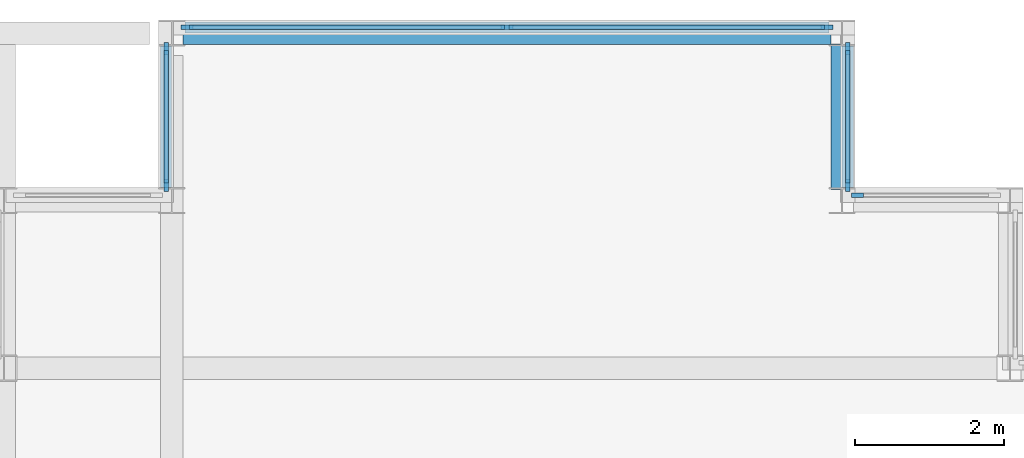
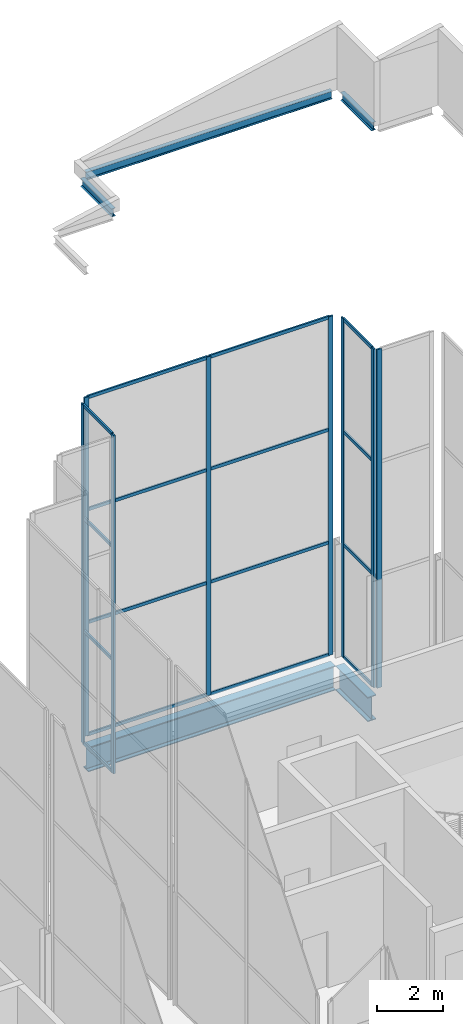
# One storey, part 8 of 23: 24 members, 5 beams, 4 elements without a shape of their own.
"""IFC4 building model written with IfcOpenShell, lengths in metres."""

from ifc_helpers import new_model, si_unit, direction, frame, origin, origin_2d, place, context, subcontext, project, spatial, rectangle, i_section, extrude, material, layer, layer_set, material_profile, profile_set, type_object, element, aggregate, save


model = new_model("IFC4")

# Units and contexts
model_context = context("Model", 3, precision=1e-05, world=origin(), true_north=direction((0.0, 1.0)))
body_context = subcontext(model_context, "Body", "Model", "MODEL_VIEW")
ifc_project = project(units=[si_unit("LENGTHUNIT", "METRE"), si_unit("AREAUNIT", "SQUARE_METRE"), si_unit("VOLUMEUNIT", "CUBIC_METRE"), si_unit("PLANEANGLEUNIT", "RADIAN"), si_unit("MASSUNIT", "GRAM", prefix="KILO")], contexts=[model_context])

# Site, building, storey
site_placement = place(None, origin())
site = spatial("IfcSite", under=ifc_project, at=site_placement, CompositionType="ELEMENT")
building_placement = place(site_placement, origin())
building = spatial("IfcBuilding", under=site, at=building_placement, Name="Caravel Reach Hotel and Residences", CompositionType="ELEMENT")
storey_placement = place(building_placement, frame((0.0, 0.0, 312.800048828125)))
storey = spatial("IfcBuildingStorey", under=building, at=storey_placement, Name="L79", CompositionType="ELEMENT", Elevation=312.800048828125)

# Beams
ifc_material_1 = material(Name="Structural steel Q355B", Category="steel")
ifc_material_profile_1 = material_profile(ifc_material_1, i_section(OverallWidth=0.14990234375, OverallDepth=0.300048828125, WebThickness=0.006591796875, FlangeThickness=0.009033203125, FilletRadius=0.012939453125, at=origin_2d()), Name="HN 300x150x6.5x9")
ifc_profile_set_1 = profile_set([ifc_material_profile_1], Name="Structural steel Q355B")
beam_type_1 = type_object("IfcBeamType", Name="Beam HN 300x150x6.5x9", PredefinedType="BEAM", material=ifc_profile_set_1)
beam_1_placement = place(storey_placement, frame((45.074951171875, 38.425048828125, 20.849853515625), z_axis=(0.0, 1.0, 0.0), x_axis=(-1.0, 0.0, 0.0)))
element("IfcBeam", 1, at=beam_1_placement, inside=storey, type_object=beam_type_1, Name="Eave tie beam east 9.1", PredefinedType="BEAM", context=body_context, shape_type="SweptSolid", body=[
    extrude(i_section(OverallWidth=0.14990234375, OverallDepth=0.300048828125, WebThickness=0.006591796875, FlangeThickness=0.009033203125, FilletRadius=0.012939453125, at=origin_2d()), origin(), (0.0, 0.0, 1.0), 1.89990234375),
])
beam_2_placement = place(storey_placement, frame((44.824951171875, 40.574951171875, 20.849853515625), z_axis=(-1.0, 0.0, 0.0), x_axis=(0.0, -1.0, 0.0)))
element("IfcBeam", 2, at=beam_2_placement, inside=storey, type_object=beam_type_1, Name="Eave tie beam east 10.1", PredefinedType="BEAM", context=body_context, shape_type="SweptSolid", body=[
    extrude(i_section(OverallWidth=0.14990234375, OverallDepth=0.300048828125, WebThickness=0.006591796875, FlangeThickness=0.009033203125, FilletRadius=0.012939453125, at=origin_2d()), origin(), (0.0, 0.0, 1.0), 8.64990234375),
])
beam_3_placement = place(storey_placement, frame((35.925048828125, 40.324951171875, 20.849853515625), z_axis=(0.0, -1.0, 0.0), x_axis=(1.0, 0.0, 0.0)))
element("IfcBeam", 3, at=beam_3_placement, inside=storey, type_object=beam_type_1, Name="Eave tie beam east 11.1", PredefinedType="BEAM", context=body_context, shape_type="SweptSolid", body=[
    extrude(i_section(OverallWidth=0.14990234375, OverallDepth=0.300048828125, WebThickness=0.006591796875, FlangeThickness=0.009033203125, FilletRadius=0.012939453125, at=origin_2d()), origin(), (0.0, 0.0, 1.0), 1.89990234375),
])
ifc_material_2 = material(Name="Structural steel Q355B", Category="steel")
ifc_material_profile_2 = material_profile(ifc_material_2, i_section(OverallWidth=0.302001953125, OverallDepth=0.912109375, WebThickness=0.01806640625, FlangeThickness=0.033935546875, FilletRadius=0.01806640625, at=origin_2d()), Name="HN 900x300x18x34")
ifc_profile_set_2 = profile_set([ifc_material_profile_2], Name="Structural steel Q355B")
beam_type_2 = type_object("IfcBeamType", Name="Beam HN 900x300x18x34", PredefinedType="BEAM", material=ifc_profile_set_2)
beam_4_placement = place(storey_placement, frame((45.0, 38.39990234375, -0.756103515625), z_axis=(0.0, 1.0, 0.0), x_axis=(-1.0, 0.0, 0.0)))
element("IfcBeam", 4, at=beam_4_placement, inside=storey, type_object=beam_type_2, Name="B10 HN 900x300x18x34", PredefinedType="BEAM", context=body_context, shape_type="SweptSolid", body=[
    extrude(i_section(OverallWidth=0.302001953125, OverallDepth=0.912109375, WebThickness=0.01806640625, FlangeThickness=0.033935546875, FilletRadius=0.01806640625, at=origin_2d()), origin(), (0.0, 0.0, 1.0), 1.9501953125),
])
beam_5_placement = place(storey_placement, frame((44.85009765625, 40.5, -0.756103515625), z_axis=(-1.0, 0.0, 0.0), x_axis=(0.0, -1.0, 0.0)))
element("IfcBeam", 5, at=beam_5_placement, inside=storey, type_object=beam_type_2, Name="B10 HN 900x300x18x34", PredefinedType="BEAM", context=body_context, shape_type="SweptSolid", body=[
    extrude(i_section(OverallWidth=0.302001953125, OverallDepth=0.912109375, WebThickness=0.01806640625, FlangeThickness=0.033935546875, FilletRadius=0.01806640625, at=origin_2d()), origin(), (0.0, 0.0, 1.0), 8.7001953125),
])

# Curtain wall, member
ifc_material_3 = material(Name="Dark low-e glazing in black aluminium frame", Category="aluminium")
ifc_layer = layer(ifc_material_3, 0.199951171875)
ifc_layer_set = layer_set([ifc_layer], Name="CW4 Crown glazing")
curtain_wall_type = type_object("IfcCurtainWallType", Name="CW4 Crown glazing", PredefinedType="NOTDEFINED", material=ifc_layer_set)
curtain_wall_1_placement = place(storey_placement, origin())
curtain_wall_1 = element("IfcCurtainWall", 6, at=curtain_wall_1_placement, inside=storey, type_object=curtain_wall_type, Name="Crown glazing b0", PredefinedType="NOTDEFINED")
ifc_material_4 = material(Name="Anodised aluminium alloy 6063-T5, black", Category="aluminium")
ifc_material_profile_3 = material_profile(ifc_material_4, rectangle(XDim=0.06005859375, YDim=0.159912109375, at=origin_2d()), Name="CW mullion 60 x 160")
ifc_profile_set_3 = profile_set([ifc_material_profile_3], Name="Anodised aluminium alloy 6063-T5, black")
member_type_1 = type_object("IfcMemberType", Name="CW mullion 60 x 160", PredefinedType="MULLION", material=ifc_profile_set_3)
member_1_placement = place(storey_placement, frame((45.205078125, 38.324951171875, 0.0), z_axis=(0.0, 0.0, 1.0), x_axis=(0.0, -1.0, 0.0)))
member_1 = element("IfcMember", 7, at=member_1_placement, type_object=member_type_1, Name="CW4 mullion 2", PredefinedType="MULLION", context=body_context, shape_type="SweptSolid", body=[
    extrude(rectangle(XDim=0.06005859375, YDim=0.159912109375, at=origin_2d()), origin(), (0.0, 0.0, 1.0), 12.599853515625),
])
aggregate(curtain_wall_1, [member_1])

# Curtain wall, members
curtain_wall_2_placement = place(storey_placement, origin())
curtain_wall_2 = element("IfcCurtainWall", 8, at=curtain_wall_2_placement, inside=storey, type_object=curtain_wall_type, Name="Crown glazing b0", PredefinedType="NOTDEFINED")
member_2_placement = place(storey_placement, frame((45.074951171875, 38.455078125, 0.0), z_axis=(0.0, 0.0, 1.0), x_axis=(-1.0, 0.0, 0.0)))
member_2 = element("IfcMember", 9, at=member_2_placement, type_object=member_type_1, Name="CW4 mullion 1", PredefinedType="MULLION", context=body_context, shape_type="SweptSolid", body=[
    extrude(rectangle(XDim=0.06005859375, YDim=0.159912109375, at=origin_2d()), origin(), (0.0, 0.0, 1.0), 12.599853515625),
])
member_3_placement = place(storey_placement, frame((45.074951171875, 40.294921875, 0.0), z_axis=(0.0, 0.0, 1.0), x_axis=(-1.0, 0.0, 0.0)))
member_3 = element("IfcMember", 10, at=member_3_placement, type_object=member_type_1, Name="CW4 mullion 2", PredefinedType="MULLION", context=body_context, shape_type="SweptSolid", body=[
    extrude(rectangle(XDim=0.06005859375, YDim=0.159912109375, at=origin_2d()), origin(), (0.0, 0.0, 1.0), 12.599853515625),
])

curtain_wall_3_placement = place(storey_placement, origin())
curtain_wall_3 = element("IfcCurtainWall", 11, at=curtain_wall_3_placement, inside=storey, type_object=curtain_wall_type, Name="Crown glazing b0", PredefinedType="NOTDEFINED")
member_4_placement = place(storey_placement, frame((44.794921875, 40.574951171875, 0.0), z_axis=(0.0, 0.0, 1.0), x_axis=(0.0, -1.0, 0.0)))
member_4 = element("IfcMember", 12, at=member_4_placement, type_object=member_type_1, Name="CW4 mullion 1", PredefinedType="MULLION", context=body_context, shape_type="SweptSolid", body=[
    extrude(rectangle(XDim=0.06005859375, YDim=0.159912109375, at=origin_2d()), origin(), (0.0, 0.0, 1.0), 12.599853515625),
])
member_5_placement = place(storey_placement, frame((40.5, 40.574951171875, 0.0), z_axis=(0.0, 0.0, 1.0), x_axis=(0.0, -1.0, 0.0)))
member_5 = element("IfcMember", 13, at=member_5_placement, type_object=member_type_1, Name="CW4 mullion 2", PredefinedType="MULLION", context=body_context, shape_type="SweptSolid", body=[
    extrude(rectangle(XDim=0.06005859375, YDim=0.159912109375, at=origin_2d()), origin(), (0.0, 0.0, 1.0), 12.599853515625),
])
member_6_placement = place(storey_placement, frame((36.205078125, 40.574951171875, 0.0), z_axis=(0.0, 0.0, 1.0), x_axis=(0.0, -1.0, 0.0)))
member_6 = element("IfcMember", 14, at=member_6_placement, type_object=member_type_1, Name="CW4 mullion 3", PredefinedType="MULLION", context=body_context, shape_type="SweptSolid", body=[
    extrude(rectangle(XDim=0.06005859375, YDim=0.159912109375, at=origin_2d()), origin(), (0.0, 0.0, 1.0), 12.599853515625),
])

curtain_wall_4_placement = place(storey_placement, origin())
curtain_wall_4 = element("IfcCurtainWall", 15, at=curtain_wall_4_placement, inside=storey, type_object=curtain_wall_type, Name="Crown glazing b0", PredefinedType="NOTDEFINED")
member_7_placement = place(storey_placement, frame((35.925048828125, 40.294921875, 0.0), z_axis=(0.0, 0.0, 1.0), x_axis=(1.0, 0.0, 0.0)))
member_7 = element("IfcMember", 16, at=member_7_placement, type_object=member_type_1, Name="CW4 mullion 1", PredefinedType="MULLION", context=body_context, shape_type="SweptSolid", body=[
    extrude(rectangle(XDim=0.06005859375, YDim=0.159912109375, at=origin_2d()), origin(), (0.0, 0.0, 1.0), 12.599853515625),
])
member_8_placement = place(storey_placement, frame((35.925048828125, 38.455078125, 0.0), z_axis=(0.0, 0.0, 1.0), x_axis=(1.0, 0.0, 0.0)))
member_8 = element("IfcMember", 17, at=member_8_placement, type_object=member_type_1, Name="CW4 mullion 2", PredefinedType="MULLION", context=body_context, shape_type="SweptSolid", body=[
    extrude(rectangle(XDim=0.06005859375, YDim=0.159912109375, at=origin_2d()), origin(), (0.0, 0.0, 1.0), 12.599853515625),
])

# Member
ifc_material_5 = material(Name="Anodised aluminium alloy 6063-T5, black", Category="aluminium")
ifc_material_profile_4 = material_profile(ifc_material_5, rectangle(XDim=0.06005859375, YDim=0.1201171875, at=origin_2d()), Name="CW transom 60 x 120")
ifc_profile_set_4 = profile_set([ifc_material_profile_4], Name="Anodised aluminium alloy 6063-T5, black")
member_type_2 = type_object("IfcMemberType", Name="CW transom 60 x 120", PredefinedType="USERDEFINED", material=ifc_profile_set_4)
member_9_placement = place(storey_placement, frame((45.074951171875, 38.485107421875, 0.030029296875), z_axis=(0.0, 1.0, 0.0), x_axis=(-1.0, 0.0, 0.0)))
member_9 = element("IfcMember", 18, at=member_9_placement, type_object=member_type_2, Name="CW4 transom 1.1", ObjectType="TRANSOM", PredefinedType="USERDEFINED", context=body_context, shape_type="SweptSolid", body=[
    extrude(rectangle(XDim=0.06005859375, YDim=0.1201171875, at=origin_2d()), origin(), (0.0, 0.0, 1.0), 1.77978515625),
])

member_10_placement = place(storey_placement, frame((45.074951171875, 38.485107421875, 4.199951171875), z_axis=(0.0, 1.0, 0.0), x_axis=(-1.0, 0.0, 0.0)))
member_10 = element("IfcMember", 19, at=member_10_placement, type_object=member_type_2, Name="CW4 transom 1.2", ObjectType="TRANSOM", PredefinedType="USERDEFINED", context=body_context, shape_type="SweptSolid", body=[
    extrude(rectangle(XDim=0.06005859375, YDim=0.1201171875, at=origin_2d()), origin(), (0.0, 0.0, 1.0), 1.77978515625),
])

member_11_placement = place(storey_placement, frame((45.074951171875, 38.485107421875, 8.39990234375), z_axis=(0.0, 1.0, 0.0), x_axis=(-1.0, 0.0, 0.0)))
member_11 = element("IfcMember", 20, at=member_11_placement, type_object=member_type_2, Name="CW4 transom 1.3", ObjectType="TRANSOM", PredefinedType="USERDEFINED", context=body_context, shape_type="SweptSolid", body=[
    extrude(rectangle(XDim=0.06005859375, YDim=0.1201171875, at=origin_2d()), origin(), (0.0, 0.0, 1.0), 1.77978515625),
])

member_12_placement = place(storey_placement, frame((45.074951171875, 38.485107421875, 12.570068359375), z_axis=(0.0, 1.0, 0.0), x_axis=(-1.0, 0.0, 0.0)))
member_12 = element("IfcMember", 21, at=member_12_placement, type_object=member_type_2, Name="CW4 transom 1.4", ObjectType="TRANSOM", PredefinedType="USERDEFINED", context=body_context, shape_type="SweptSolid", body=[
    extrude(rectangle(XDim=0.06005859375, YDim=0.1201171875, at=origin_2d()), origin(), (0.0, 0.0, 1.0), 1.77978515625),
])

aggregate(curtain_wall_2, [member_2, member_3, member_9, member_10, member_11, member_12])

member_13_placement = place(storey_placement, frame((44.764892578125, 40.574951171875, 0.030029296875), z_axis=(-1.0, 0.0, 0.0), x_axis=(0.0, -1.0, 0.0)))
member_13 = element("IfcMember", 22, at=member_13_placement, type_object=member_type_2, Name="CW4 transom 1.1", ObjectType="TRANSOM", PredefinedType="USERDEFINED", context=body_context, shape_type="SweptSolid", body=[
    extrude(rectangle(XDim=0.06005859375, YDim=0.1201171875, at=origin_2d()), origin(), (0.0, 0.0, 1.0), 4.23486328125),
])

member_14_placement = place(storey_placement, frame((44.764892578125, 40.574951171875, 4.199951171875), z_axis=(-1.0, 0.0, 0.0), x_axis=(0.0, -1.0, 0.0)))
member_14 = element("IfcMember", 23, at=member_14_placement, type_object=member_type_2, Name="CW4 transom 1.2", ObjectType="TRANSOM", PredefinedType="USERDEFINED", context=body_context, shape_type="SweptSolid", body=[
    extrude(rectangle(XDim=0.06005859375, YDim=0.1201171875, at=origin_2d()), origin(), (0.0, 0.0, 1.0), 4.23486328125),
])

member_15_placement = place(storey_placement, frame((44.764892578125, 40.574951171875, 8.39990234375), z_axis=(-1.0, 0.0, 0.0), x_axis=(0.0, -1.0, 0.0)))
member_15 = element("IfcMember", 24, at=member_15_placement, type_object=member_type_2, Name="CW4 transom 1.3", ObjectType="TRANSOM", PredefinedType="USERDEFINED", context=body_context, shape_type="SweptSolid", body=[
    extrude(rectangle(XDim=0.06005859375, YDim=0.1201171875, at=origin_2d()), origin(), (0.0, 0.0, 1.0), 4.23486328125),
])

member_16_placement = place(storey_placement, frame((44.764892578125, 40.574951171875, 12.570068359375), z_axis=(-1.0, 0.0, 0.0), x_axis=(0.0, -1.0, 0.0)))
member_16 = element("IfcMember", 25, at=member_16_placement, type_object=member_type_2, Name="CW4 transom 1.4", ObjectType="TRANSOM", PredefinedType="USERDEFINED", context=body_context, shape_type="SweptSolid", body=[
    extrude(rectangle(XDim=0.06005859375, YDim=0.1201171875, at=origin_2d()), origin(), (0.0, 0.0, 1.0), 4.23486328125),
])

member_17_placement = place(storey_placement, frame((40.469970703125, 40.574951171875, 0.030029296875), z_axis=(-1.0, 0.0, 0.0), x_axis=(0.0, -1.0, 0.0)))
member_17 = element("IfcMember", 26, at=member_17_placement, type_object=member_type_2, Name="CW4 transom 2.1", ObjectType="TRANSOM", PredefinedType="USERDEFINED", context=body_context, shape_type="SweptSolid", body=[
    extrude(rectangle(XDim=0.06005859375, YDim=0.1201171875, at=origin_2d()), origin(), (0.0, 0.0, 1.0), 4.23486328125),
])

member_18_placement = place(storey_placement, frame((40.469970703125, 40.574951171875, 4.199951171875), z_axis=(-1.0, 0.0, 0.0), x_axis=(0.0, -1.0, 0.0)))
member_18 = element("IfcMember", 27, at=member_18_placement, type_object=member_type_2, Name="CW4 transom 2.2", ObjectType="TRANSOM", PredefinedType="USERDEFINED", context=body_context, shape_type="SweptSolid", body=[
    extrude(rectangle(XDim=0.06005859375, YDim=0.1201171875, at=origin_2d()), origin(), (0.0, 0.0, 1.0), 4.23486328125),
])

member_19_placement = place(storey_placement, frame((40.469970703125, 40.574951171875, 8.39990234375), z_axis=(-1.0, 0.0, 0.0), x_axis=(0.0, -1.0, 0.0)))
member_19 = element("IfcMember", 28, at=member_19_placement, type_object=member_type_2, Name="CW4 transom 2.3", ObjectType="TRANSOM", PredefinedType="USERDEFINED", context=body_context, shape_type="SweptSolid", body=[
    extrude(rectangle(XDim=0.06005859375, YDim=0.1201171875, at=origin_2d()), origin(), (0.0, 0.0, 1.0), 4.23486328125),
])

member_20_placement = place(storey_placement, frame((40.469970703125, 40.574951171875, 12.570068359375), z_axis=(-1.0, 0.0, 0.0), x_axis=(0.0, -1.0, 0.0)))
member_20 = element("IfcMember", 29, at=member_20_placement, type_object=member_type_2, Name="CW4 transom 2.4", ObjectType="TRANSOM", PredefinedType="USERDEFINED", context=body_context, shape_type="SweptSolid", body=[
    extrude(rectangle(XDim=0.06005859375, YDim=0.1201171875, at=origin_2d()), origin(), (0.0, 0.0, 1.0), 4.23486328125),
])

aggregate(curtain_wall_3, [member_4, member_5, member_6, member_13, member_14, member_15, member_16, member_17, member_18, member_19, member_20])

member_21_placement = place(storey_placement, frame((35.925048828125, 40.264892578125, 0.030029296875), z_axis=(0.0, -1.0, 0.0), x_axis=(1.0, 0.0, 0.0)))
member_21 = element("IfcMember", 30, at=member_21_placement, type_object=member_type_2, Name="CW4 transom 1.1", ObjectType="TRANSOM", PredefinedType="USERDEFINED", context=body_context, shape_type="SweptSolid", body=[
    extrude(rectangle(XDim=0.06005859375, YDim=0.1201171875, at=origin_2d()), origin(), (0.0, 0.0, 1.0), 1.77978515625),
])

member_22_placement = place(storey_placement, frame((35.925048828125, 40.264892578125, 4.199951171875), z_axis=(0.0, -1.0, 0.0), x_axis=(1.0, 0.0, 0.0)))
member_22 = element("IfcMember", 31, at=member_22_placement, type_object=member_type_2, Name="CW4 transom 1.2", ObjectType="TRANSOM", PredefinedType="USERDEFINED", context=body_context, shape_type="SweptSolid", body=[
    extrude(rectangle(XDim=0.06005859375, YDim=0.1201171875, at=origin_2d()), origin(), (0.0, 0.0, 1.0), 1.77978515625),
])

member_23_placement = place(storey_placement, frame((35.925048828125, 40.264892578125, 8.39990234375), z_axis=(0.0, -1.0, 0.0), x_axis=(1.0, 0.0, 0.0)))
member_23 = element("IfcMember", 32, at=member_23_placement, type_object=member_type_2, Name="CW4 transom 1.3", ObjectType="TRANSOM", PredefinedType="USERDEFINED", context=body_context, shape_type="SweptSolid", body=[
    extrude(rectangle(XDim=0.06005859375, YDim=0.1201171875, at=origin_2d()), origin(), (0.0, 0.0, 1.0), 1.77978515625),
])

member_24_placement = place(storey_placement, frame((35.925048828125, 40.264892578125, 12.570068359375), z_axis=(0.0, -1.0, 0.0), x_axis=(1.0, 0.0, 0.0)))
member_24 = element("IfcMember", 33, at=member_24_placement, type_object=member_type_2, Name="CW4 transom 1.4", ObjectType="TRANSOM", PredefinedType="USERDEFINED", context=body_context, shape_type="SweptSolid", body=[
    extrude(rectangle(XDim=0.06005859375, YDim=0.1201171875, at=origin_2d()), origin(), (0.0, 0.0, 1.0), 1.77978515625),
])

aggregate(curtain_wall_4, [member_7, member_8, member_21, member_22, member_23, member_24])

save(model, "model.ifc")
